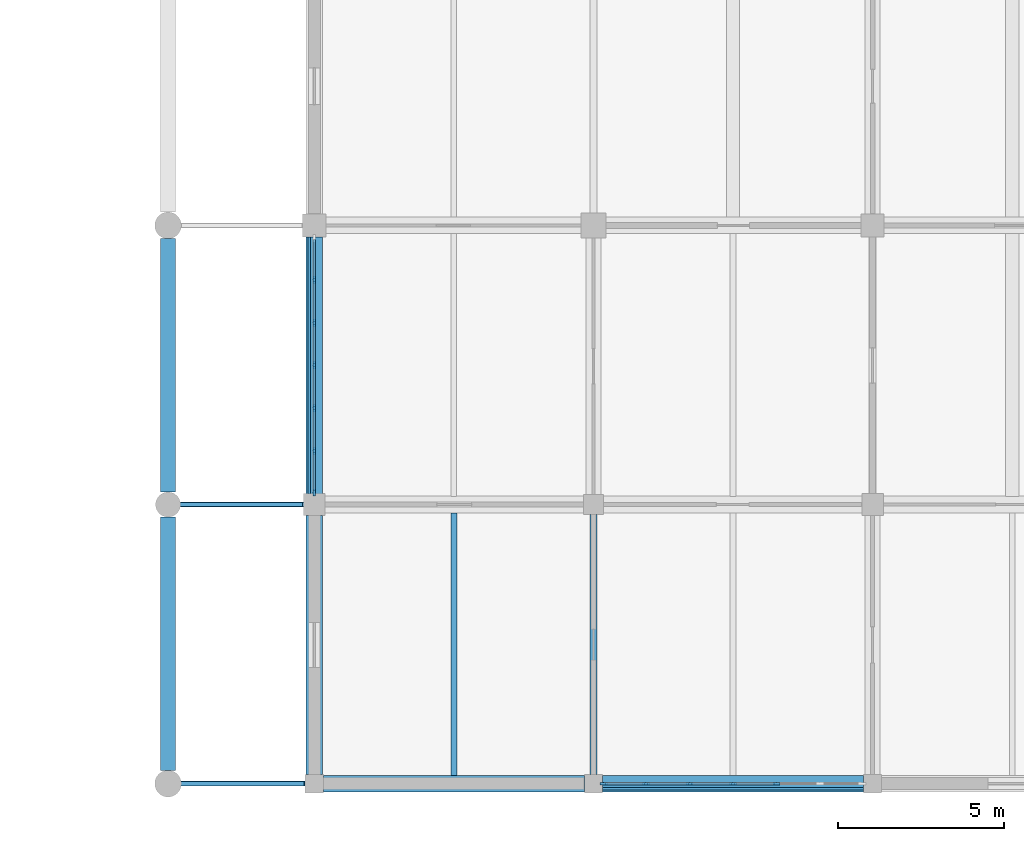
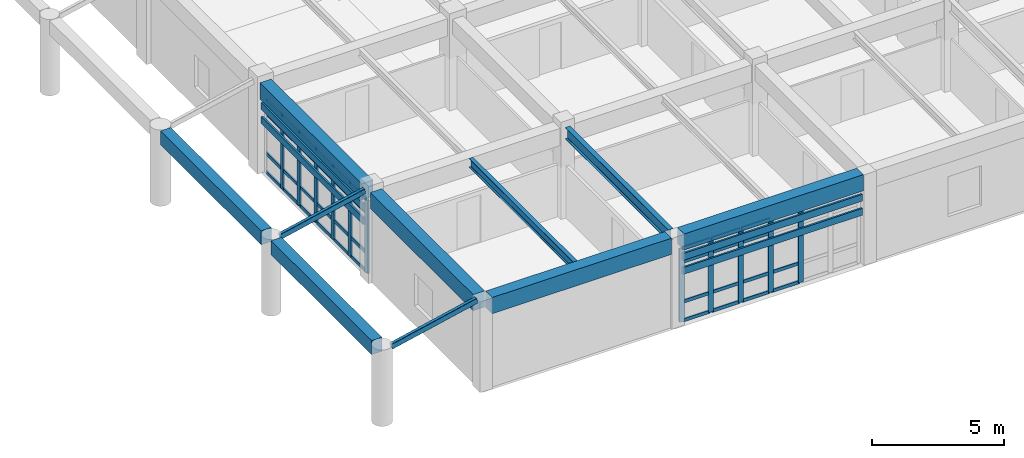
# One storey, part 44 of 99: 55 members, 8 beams, 2 elements without a shape of their own.
"""IFC4 building model written with IfcOpenShell, lengths in metres."""

from ifc_helpers import new_model, si_unit, direction, frame, origin, origin_2d, place, context, subcontext, project, spatial, rectangle, hollow_rectangle, i_section, extrude, material, layer, layer_set, material_profile, profile_set, type_object, element, aggregate, save


model = new_model("IFC4")

# Units and contexts
model_context = context("Model", 3, precision=1e-05, world=origin(), true_north=direction((0.0, 1.0)))
body_context = subcontext(model_context, "Body", "Model", "MODEL_VIEW")
ifc_project = project(units=[si_unit("LENGTHUNIT", "METRE"), si_unit("AREAUNIT", "SQUARE_METRE"), si_unit("VOLUMEUNIT", "CUBIC_METRE"), si_unit("PLANEANGLEUNIT", "RADIAN"), si_unit("MASSUNIT", "GRAM", prefix="KILO")], contexts=[model_context])

# Site, building, storey
site_placement = place(None, origin())
site = spatial("IfcSite", under=ifc_project, at=site_placement, CompositionType="ELEMENT")
building_placement = place(site_placement, origin())
building = spatial("IfcBuilding", under=site, at=building_placement, Name="Porcellanite Civic Hall", CompositionType="ELEMENT")
storey_placement = place(building_placement, frame((0.0, 0.0, 5.760009765625)))
storey = spatial("IfcBuildingStorey", under=building, at=storey_placement, Name="L01", CompositionType="ELEMENT", Elevation=5.760009765625)

# Beams
ifc_material_1 = material(Name="Concrete N50 (50 MPa)", Category="concrete")
ifc_material_profile_1 = material_profile(ifc_material_1, rectangle(XDim=0.449951171875, YDim=0.64990234375, at=origin_2d()), Name="RC-450x650")
ifc_profile_set_1 = profile_set([ifc_material_profile_1], Name="Concrete N50 (50 MPa)")
beam_type_1 = type_object("IfcBeamType", Name="BM-RC650", PredefinedType="SPANDREL", material=ifc_profile_set_1)
for number, where, z_axis, x_axis, name in (
    (1, (138.39990234375, 0.3994140625, 3.205078125), (0.0, 1.0, 0.0), (-1.0, 0.0, 0.0), "Colonnade keystone beam L01 COL-E-P01"),
    (2, (138.39990234375, 8.7744140625, 3.205078125), (0.0, 1.0, 0.0), (-1.0, 0.0, 0.0), "Colonnade keystone beam L01 COL-E-P02"),
):
    element("IfcBeam", number, at=place(storey_placement, frame(where, z_axis=z_axis, x_axis=x_axis)), inside=storey, type_object=beam_type_1, Name=name, PredefinedType="SPANDREL", context=body_context, shape_type="SweptSolid", body=[
        extrude(rectangle(XDim=0.449951171875, YDim=0.64990234375, at=origin_2d()), origin(), (0.0, 0.0, 1.0), 7.6259765625),
    ])
ifc_material_2 = material(Name="Concrete N50 (50 MPa)", Category="concrete")
ifc_material_profile_2 = material_profile(ifc_material_2, rectangle(XDim=0.5, YDim=0.75, at=origin_2d()), Name="RC-500x750")
ifc_profile_set_2 = profile_set([ifc_material_profile_2], Name="Concrete N50 (50 MPa)")
beam_type_2 = type_object("IfcBeamType", Name="BM-RC750", PredefinedType="SPANDREL", material=ifc_profile_set_2)
beam_1_placement = place(storey_placement, frame((143.074462890625, 0.0, 3.824951171875), z_axis=(1.0, 0.0, 0.0), x_axis=(0.0, 1.0, 0.0)))
element("IfcBeam", 3, at=beam_1_placement, inside=storey, type_object=beam_type_2, Name="Beam X L01 18-1", PredefinedType="SPANDREL", context=body_context, shape_type="SweptSolid", body=[
    extrude(rectangle(XDim=0.5, YDim=0.75, at=origin_2d()), origin(), (0.0, 0.0, 1.0), 7.85107421875),
])
beam_2_placement = place(storey_placement, frame((151.474609375, 0.0, 3.824951171875), z_axis=(1.0, 0.0, 0.0), x_axis=(0.0, 1.0, 0.0)))
element("IfcBeam", 4, at=beam_2_placement, inside=storey, type_object=beam_type_2, Name="Beam X L01 19-1", PredefinedType="SPANDREL", context=body_context, shape_type="SweptSolid", body=[
    extrude(rectangle(XDim=0.5, YDim=0.75, at=origin_2d()), origin(), (0.0, 0.0, 1.0), 7.850830078125),
])
beam_3_placement = place(storey_placement, frame((142.800048828125, 0.2744140625, 3.824951171875), z_axis=(0.0, 1.0, 0.0), x_axis=(-1.0, 0.0, 0.0)))
element("IfcBeam", 5, at=beam_3_placement, inside=storey, type_object=beam_type_2, Name="Beam Y L01 18-1", PredefinedType="SPANDREL", context=body_context, shape_type="SweptSolid", body=[
    extrude(rectangle(XDim=0.5, YDim=0.75, at=origin_2d()), origin(), (0.0, 0.0, 1.0), 7.801025390625),
])
beam_4_placement = place(storey_placement, frame((142.800048828125, 8.724609375, 3.824951171875), z_axis=(0.0, 1.0, 0.0), x_axis=(-1.0, 0.0, 0.0)))
element("IfcBeam", 6, at=beam_4_placement, inside=storey, type_object=beam_type_2, Name="Beam Y L01 18-2", PredefinedType="SPANDREL", context=body_context, shape_type="SweptSolid", body=[
    extrude(rectangle(XDim=0.5, YDim=0.75, at=origin_2d()), origin(), (0.0, 0.0, 1.0), 7.725830078125),
])

# Curtain wall, members
ifc_material_3 = material(Name="Anodised aluminium and solar laminated glass", Category="aluminium")
ifc_layer = layer(ifc_material_3, 0.179931640625)
ifc_layer_set = layer_set([ifc_layer], Name="Anodised aluminium and solar laminated glass")
curtain_wall_type = type_object("IfcCurtainWallType", Name="CW-SYS02", PredefinedType="NOTDEFINED", material=ifc_layer_set)
curtain_wall_1_placement = place(storey_placement, origin())
curtain_wall_1 = element("IfcCurtainWall", 7, at=curtain_wall_1_placement, inside=storey, type_object=curtain_wall_type, Name="Curtain wall CW-119", PredefinedType="NOTDEFINED")
ifc_material_4 = material(Name="Anodised aluminium 6063-T6", Category="aluminium")
ifc_material_profile_3 = material_profile(ifc_material_4, rectangle(XDim=0.074951171875, YDim=0.219970703125, at=origin_2d()), Name="AL-75x220")
ifc_profile_set_3 = profile_set([ifc_material_profile_3], Name="Anodised aluminium 6063-T6")
member_type_1 = type_object("IfcMemberType", Name="CWM-03", PredefinedType="MULLION", material=ifc_profile_set_3)
member_1_placement = place(storey_placement, frame((142.800048828125, 8.763427734375, 0.0), z_axis=(0.0, 0.0, 1.0), x_axis=(-1.0, 0.0, 0.0)))
member_1 = element("IfcMember", 8, at=member_1_placement, type_object=member_type_1, Name="CW-119 mullion 1", PredefinedType="MULLION", context=body_context, shape_type="SweptSolid", body=[
    extrude(rectangle(XDim=0.074951171875, YDim=0.219970703125, at=origin_2d()), origin(), (0.0, 0.0, 1.0), 3.39990234375),
])
member_2_placement = place(storey_placement, frame((142.800048828125, 10.01318359375, 0.0), z_axis=(0.0, 0.0, 1.0), x_axis=(-1.0, 0.0, 0.0)))
member_2 = element("IfcMember", 9, at=member_2_placement, type_object=member_type_1, Name="CW-119 mullion 2", PredefinedType="MULLION", context=body_context, shape_type="SweptSolid", body=[
    extrude(rectangle(XDim=0.074951171875, YDim=0.219970703125, at=origin_2d()), origin(), (0.0, 0.0, 1.0), 3.39990234375),
])
member_3_placement = place(storey_placement, frame((142.800048828125, 11.30029296875, 0.0), z_axis=(0.0, 0.0, 1.0), x_axis=(-1.0, 0.0, 0.0)))
member_3 = element("IfcMember", 10, at=member_3_placement, type_object=member_type_1, Name="CW-119 mullion 3", PredefinedType="MULLION", context=body_context, shape_type="SweptSolid", body=[
    extrude(rectangle(XDim=0.074951171875, YDim=0.219970703125, at=origin_2d()), origin(), (0.0, 0.0, 1.0), 3.39990234375),
])
member_4_placement = place(storey_placement, frame((142.800048828125, 12.58740234375, 0.0), z_axis=(0.0, 0.0, 1.0), x_axis=(-1.0, 0.0, 0.0)))
member_4 = element("IfcMember", 11, at=member_4_placement, type_object=member_type_1, Name="CW-119 mullion 4", PredefinedType="MULLION", context=body_context, shape_type="SweptSolid", body=[
    extrude(rectangle(XDim=0.074951171875, YDim=0.219970703125, at=origin_2d()), origin(), (0.0, 0.0, 1.0), 3.39990234375),
])
member_5_placement = place(storey_placement, frame((142.800048828125, 13.874755859375, 0.0), z_axis=(0.0, 0.0, 1.0), x_axis=(-1.0, 0.0, 0.0)))
member_5 = element("IfcMember", 12, at=member_5_placement, type_object=member_type_1, Name="CW-119 mullion 5", PredefinedType="MULLION", context=body_context, shape_type="SweptSolid", body=[
    extrude(rectangle(XDim=0.074951171875, YDim=0.219970703125, at=origin_2d()), origin(), (0.0, 0.0, 1.0), 3.39990234375),
])
member_6_placement = place(storey_placement, frame((142.800048828125, 15.161865234375, 0.0), z_axis=(0.0, 0.0, 1.0), x_axis=(-1.0, 0.0, 0.0)))
member_6 = element("IfcMember", 13, at=member_6_placement, type_object=member_type_1, Name="CW-119 mullion 6", PredefinedType="MULLION", context=body_context, shape_type="SweptSolid", body=[
    extrude(rectangle(XDim=0.074951171875, YDim=0.219970703125, at=origin_2d()), origin(), (0.0, 0.0, 1.0), 3.39990234375),
])

curtain_wall_2_placement = place(storey_placement, origin())
curtain_wall_2 = element("IfcCurtainWall", 14, at=curtain_wall_2_placement, inside=storey, type_object=curtain_wall_type, Name="Curtain wall CW-123", PredefinedType="NOTDEFINED")
member_7_placement = place(storey_placement, frame((156.7080078125, 0.0, 0.0), z_axis=(0.0, 0.0, 1.0), x_axis=(0.0, -1.0, 0.0)))
member_7 = element("IfcMember", 15, at=member_7_placement, type_object=member_type_1, Name="CW-123 mullion 3", PredefinedType="MULLION", context=body_context, shape_type="SweptSolid", body=[
    extrude(rectangle(XDim=0.074951171875, YDim=0.219970703125, at=origin_2d()), origin(), (0.0, 0.0, 1.0), 3.39990234375),
])
member_8_placement = place(storey_placement, frame((155.39990234375, 0.0, 0.0), z_axis=(0.0, 0.0, 1.0), x_axis=(0.0, -1.0, 0.0)))
member_8 = element("IfcMember", 16, at=member_8_placement, type_object=member_type_1, Name="CW-123 mullion 4", PredefinedType="MULLION", context=body_context, shape_type="SweptSolid", body=[
    extrude(rectangle(XDim=0.074951171875, YDim=0.219970703125, at=origin_2d()), origin(), (0.0, 0.0, 1.0), 3.39990234375),
])
member_9_placement = place(storey_placement, frame((154.092041015625, 0.0, 0.0), z_axis=(0.0, 0.0, 1.0), x_axis=(0.0, -1.0, 0.0)))
member_9 = element("IfcMember", 17, at=member_9_placement, type_object=member_type_1, Name="CW-123 mullion 5", PredefinedType="MULLION", context=body_context, shape_type="SweptSolid", body=[
    extrude(rectangle(XDim=0.074951171875, YDim=0.219970703125, at=origin_2d()), origin(), (0.0, 0.0, 1.0), 3.39990234375),
])
member_10_placement = place(storey_placement, frame((152.783935546875, 0.0, 0.0), z_axis=(0.0, 0.0, 1.0), x_axis=(0.0, -1.0, 0.0)))
member_10 = element("IfcMember", 18, at=member_10_placement, type_object=member_type_1, Name="CW-123 mullion 6", PredefinedType="MULLION", context=body_context, shape_type="SweptSolid", body=[
    extrude(rectangle(XDim=0.074951171875, YDim=0.219970703125, at=origin_2d()), origin(), (0.0, 0.0, 1.0), 3.39990234375),
])
member_11_placement = place(storey_placement, frame((151.513427734375, 0.0, 0.0), z_axis=(0.0, 0.0, 1.0), x_axis=(0.0, -1.0, 0.0)))
member_11 = element("IfcMember", 19, at=member_11_placement, type_object=member_type_1, Name="CW-123 mullion 7", PredefinedType="MULLION", context=body_context, shape_type="SweptSolid", body=[
    extrude(rectangle(XDim=0.074951171875, YDim=0.219970703125, at=origin_2d()), origin(), (0.0, 0.0, 1.0), 3.39990234375),
])

# Member
ifc_material_5 = material(Name="Anodised aluminium 6063-T6", Category="aluminium")
ifc_material_profile_4 = material_profile(ifc_material_5, rectangle(XDim=0.06494140625, YDim=0.14990234375, at=origin_2d()), Name="AL-65x150")
ifc_profile_set_4 = profile_set([ifc_material_profile_4], Name="Anodised aluminium 6063-T6")
member_type_2 = type_object("IfcMemberType", Name="CWT-02", PredefinedType="USERDEFINED", material=ifc_profile_set_4)
member_12_placement = place(storey_placement, frame((142.800048828125, 8.801025390625, 0.032470703125), z_axis=(0.0, 1.0, 0.0), x_axis=(-1.0, 0.0, 0.0)))
member_12 = element("IfcMember", 20, at=member_12_placement, type_object=member_type_2, Name="CW-119 transom 1.1", ObjectType="TRANSOM", PredefinedType="USERDEFINED", context=body_context, shape_type="SweptSolid", body=[
    extrude(rectangle(XDim=0.06494140625, YDim=0.14990234375, at=origin_2d()), origin(), (0.0, 0.0, 1.0), 1.174560546875),
])

member_13_placement = place(storey_placement, frame((142.800048828125, 8.801025390625, 0.89990234375), z_axis=(0.0, 1.0, 0.0), x_axis=(-1.0, 0.0, 0.0)))
member_13 = element("IfcMember", 21, at=member_13_placement, type_object=member_type_2, Name="CW-119 transom 1.2", ObjectType="TRANSOM", PredefinedType="USERDEFINED", context=body_context, shape_type="SweptSolid", body=[
    extrude(rectangle(XDim=0.06494140625, YDim=0.14990234375, at=origin_2d()), origin(), (0.0, 0.0, 1.0), 1.174560546875),
])

member_14_placement = place(storey_placement, frame((142.800048828125, 8.801025390625, 2.75), z_axis=(0.0, 1.0, 0.0), x_axis=(-1.0, 0.0, 0.0)))
member_14 = element("IfcMember", 22, at=member_14_placement, type_object=member_type_2, Name="CW-119 transom 1.3", ObjectType="TRANSOM", PredefinedType="USERDEFINED", context=body_context, shape_type="SweptSolid", body=[
    extrude(rectangle(XDim=0.06494140625, YDim=0.14990234375, at=origin_2d()), origin(), (0.0, 0.0, 1.0), 1.174560546875),
])

member_15_placement = place(storey_placement, frame((142.800048828125, 8.801025390625, 3.367431640625), z_axis=(0.0, 1.0, 0.0), x_axis=(-1.0, 0.0, 0.0)))
member_15 = element("IfcMember", 23, at=member_15_placement, type_object=member_type_2, Name="CW-119 transom 1.4", ObjectType="TRANSOM", PredefinedType="USERDEFINED", context=body_context, shape_type="SweptSolid", body=[
    extrude(rectangle(XDim=0.06494140625, YDim=0.14990234375, at=origin_2d()), origin(), (0.0, 0.0, 1.0), 1.174560546875),
])

member_16_placement = place(storey_placement, frame((142.800048828125, 10.05078125, 0.032470703125), z_axis=(0.0, 1.0, 0.0), x_axis=(-1.0, 0.0, 0.0)))
member_16 = element("IfcMember", 24, at=member_16_placement, type_object=member_type_2, Name="CW-119 transom 2.1", ObjectType="TRANSOM", PredefinedType="USERDEFINED", context=body_context, shape_type="SweptSolid", body=[
    extrude(rectangle(XDim=0.06494140625, YDim=0.14990234375, at=origin_2d()), origin(), (0.0, 0.0, 1.0), 1.212158203125),
])

member_17_placement = place(storey_placement, frame((142.800048828125, 10.05078125, 0.89990234375), z_axis=(0.0, 1.0, 0.0), x_axis=(-1.0, 0.0, 0.0)))
member_17 = element("IfcMember", 25, at=member_17_placement, type_object=member_type_2, Name="CW-119 transom 2.2", ObjectType="TRANSOM", PredefinedType="USERDEFINED", context=body_context, shape_type="SweptSolid", body=[
    extrude(rectangle(XDim=0.06494140625, YDim=0.14990234375, at=origin_2d()), origin(), (0.0, 0.0, 1.0), 1.212158203125),
])

member_18_placement = place(storey_placement, frame((142.800048828125, 10.05078125, 2.75), z_axis=(0.0, 1.0, 0.0), x_axis=(-1.0, 0.0, 0.0)))
member_18 = element("IfcMember", 26, at=member_18_placement, type_object=member_type_2, Name="CW-119 transom 2.3", ObjectType="TRANSOM", PredefinedType="USERDEFINED", context=body_context, shape_type="SweptSolid", body=[
    extrude(rectangle(XDim=0.06494140625, YDim=0.14990234375, at=origin_2d()), origin(), (0.0, 0.0, 1.0), 1.212158203125),
])

member_19_placement = place(storey_placement, frame((142.800048828125, 10.05078125, 3.367431640625), z_axis=(0.0, 1.0, 0.0), x_axis=(-1.0, 0.0, 0.0)))
member_19 = element("IfcMember", 27, at=member_19_placement, type_object=member_type_2, Name="CW-119 transom 2.4", ObjectType="TRANSOM", PredefinedType="USERDEFINED", context=body_context, shape_type="SweptSolid", body=[
    extrude(rectangle(XDim=0.06494140625, YDim=0.14990234375, at=origin_2d()), origin(), (0.0, 0.0, 1.0), 1.212158203125),
])

member_20_placement = place(storey_placement, frame((142.800048828125, 11.337890625, 0.032470703125), z_axis=(0.0, 1.0, 0.0), x_axis=(-1.0, 0.0, 0.0)))
member_20 = element("IfcMember", 28, at=member_20_placement, type_object=member_type_2, Name="CW-119 transom 3.1", ObjectType="TRANSOM", PredefinedType="USERDEFINED", context=body_context, shape_type="SweptSolid", body=[
    extrude(rectangle(XDim=0.06494140625, YDim=0.14990234375, at=origin_2d()), origin(), (0.0, 0.0, 1.0), 1.212158203125),
])

member_21_placement = place(storey_placement, frame((142.800048828125, 11.337890625, 0.89990234375), z_axis=(0.0, 1.0, 0.0), x_axis=(-1.0, 0.0, 0.0)))
member_21 = element("IfcMember", 29, at=member_21_placement, type_object=member_type_2, Name="CW-119 transom 3.2", ObjectType="TRANSOM", PredefinedType="USERDEFINED", context=body_context, shape_type="SweptSolid", body=[
    extrude(rectangle(XDim=0.06494140625, YDim=0.14990234375, at=origin_2d()), origin(), (0.0, 0.0, 1.0), 1.212158203125),
])

member_22_placement = place(storey_placement, frame((142.800048828125, 11.337890625, 2.75), z_axis=(0.0, 1.0, 0.0), x_axis=(-1.0, 0.0, 0.0)))
member_22 = element("IfcMember", 30, at=member_22_placement, type_object=member_type_2, Name="CW-119 transom 3.3", ObjectType="TRANSOM", PredefinedType="USERDEFINED", context=body_context, shape_type="SweptSolid", body=[
    extrude(rectangle(XDim=0.06494140625, YDim=0.14990234375, at=origin_2d()), origin(), (0.0, 0.0, 1.0), 1.212158203125),
])

member_23_placement = place(storey_placement, frame((142.800048828125, 11.337890625, 3.367431640625), z_axis=(0.0, 1.0, 0.0), x_axis=(-1.0, 0.0, 0.0)))
member_23 = element("IfcMember", 31, at=member_23_placement, type_object=member_type_2, Name="CW-119 transom 3.4", ObjectType="TRANSOM", PredefinedType="USERDEFINED", context=body_context, shape_type="SweptSolid", body=[
    extrude(rectangle(XDim=0.06494140625, YDim=0.14990234375, at=origin_2d()), origin(), (0.0, 0.0, 1.0), 1.212158203125),
])

member_24_placement = place(storey_placement, frame((142.800048828125, 12.625, 0.032470703125), z_axis=(0.0, 1.0, 0.0), x_axis=(-1.0, 0.0, 0.0)))
member_24 = element("IfcMember", 32, at=member_24_placement, type_object=member_type_2, Name="CW-119 transom 4.1", ObjectType="TRANSOM", PredefinedType="USERDEFINED", context=body_context, shape_type="SweptSolid", body=[
    extrude(rectangle(XDim=0.06494140625, YDim=0.14990234375, at=origin_2d()), origin(), (0.0, 0.0, 1.0), 1.212158203125),
])

member_25_placement = place(storey_placement, frame((142.800048828125, 12.625, 0.89990234375), z_axis=(0.0, 1.0, 0.0), x_axis=(-1.0, 0.0, 0.0)))
member_25 = element("IfcMember", 33, at=member_25_placement, type_object=member_type_2, Name="CW-119 transom 4.2", ObjectType="TRANSOM", PredefinedType="USERDEFINED", context=body_context, shape_type="SweptSolid", body=[
    extrude(rectangle(XDim=0.06494140625, YDim=0.14990234375, at=origin_2d()), origin(), (0.0, 0.0, 1.0), 1.212158203125),
])

member_26_placement = place(storey_placement, frame((142.800048828125, 12.625, 2.75), z_axis=(0.0, 1.0, 0.0), x_axis=(-1.0, 0.0, 0.0)))
member_26 = element("IfcMember", 34, at=member_26_placement, type_object=member_type_2, Name="CW-119 transom 4.3", ObjectType="TRANSOM", PredefinedType="USERDEFINED", context=body_context, shape_type="SweptSolid", body=[
    extrude(rectangle(XDim=0.06494140625, YDim=0.14990234375, at=origin_2d()), origin(), (0.0, 0.0, 1.0), 1.212158203125),
])

member_27_placement = place(storey_placement, frame((142.800048828125, 12.625, 3.367431640625), z_axis=(0.0, 1.0, 0.0), x_axis=(-1.0, 0.0, 0.0)))
member_27 = element("IfcMember", 35, at=member_27_placement, type_object=member_type_2, Name="CW-119 transom 4.4", ObjectType="TRANSOM", PredefinedType="USERDEFINED", context=body_context, shape_type="SweptSolid", body=[
    extrude(rectangle(XDim=0.06494140625, YDim=0.14990234375, at=origin_2d()), origin(), (0.0, 0.0, 1.0), 1.212158203125),
])

member_28_placement = place(storey_placement, frame((142.800048828125, 13.912109375, 0.032470703125), z_axis=(0.0, 1.0, 0.0), x_axis=(-1.0, 0.0, 0.0)))
member_28 = element("IfcMember", 36, at=member_28_placement, type_object=member_type_2, Name="CW-119 transom 5.1", ObjectType="TRANSOM", PredefinedType="USERDEFINED", context=body_context, shape_type="SweptSolid", body=[
    extrude(rectangle(XDim=0.06494140625, YDim=0.14990234375, at=origin_2d()), origin(), (0.0, 0.0, 1.0), 1.212158203125),
])

member_29_placement = place(storey_placement, frame((142.800048828125, 13.912109375, 0.89990234375), z_axis=(0.0, 1.0, 0.0), x_axis=(-1.0, 0.0, 0.0)))
member_29 = element("IfcMember", 37, at=member_29_placement, type_object=member_type_2, Name="CW-119 transom 5.2", ObjectType="TRANSOM", PredefinedType="USERDEFINED", context=body_context, shape_type="SweptSolid", body=[
    extrude(rectangle(XDim=0.06494140625, YDim=0.14990234375, at=origin_2d()), origin(), (0.0, 0.0, 1.0), 1.212158203125),
])

member_30_placement = place(storey_placement, frame((142.800048828125, 13.912109375, 2.75), z_axis=(0.0, 1.0, 0.0), x_axis=(-1.0, 0.0, 0.0)))
member_30 = element("IfcMember", 38, at=member_30_placement, type_object=member_type_2, Name="CW-119 transom 5.3", ObjectType="TRANSOM", PredefinedType="USERDEFINED", context=body_context, shape_type="SweptSolid", body=[
    extrude(rectangle(XDim=0.06494140625, YDim=0.14990234375, at=origin_2d()), origin(), (0.0, 0.0, 1.0), 1.212158203125),
])

member_31_placement = place(storey_placement, frame((142.800048828125, 13.912109375, 3.367431640625), z_axis=(0.0, 1.0, 0.0), x_axis=(-1.0, 0.0, 0.0)))
member_31 = element("IfcMember", 39, at=member_31_placement, type_object=member_type_2, Name="CW-119 transom 5.4", ObjectType="TRANSOM", PredefinedType="USERDEFINED", context=body_context, shape_type="SweptSolid", body=[
    extrude(rectangle(XDim=0.06494140625, YDim=0.14990234375, at=origin_2d()), origin(), (0.0, 0.0, 1.0), 1.212158203125),
])

member_32_placement = place(storey_placement, frame((142.800048828125, 15.19921875, 0.032470703125), z_axis=(0.0, 1.0, 0.0), x_axis=(-1.0, 0.0, 0.0)))
member_32 = element("IfcMember", 40, at=member_32_placement, type_object=member_type_2, Name="CW-119 transom 6.1", ObjectType="TRANSOM", PredefinedType="USERDEFINED", context=body_context, shape_type="SweptSolid", body=[
    extrude(rectangle(XDim=0.06494140625, YDim=0.14990234375, at=origin_2d()), origin(), (0.0, 0.0, 1.0), 1.1748046875),
])

member_33_placement = place(storey_placement, frame((142.800048828125, 15.19921875, 0.89990234375), z_axis=(0.0, 1.0, 0.0), x_axis=(-1.0, 0.0, 0.0)))
member_33 = element("IfcMember", 41, at=member_33_placement, type_object=member_type_2, Name="CW-119 transom 6.2", ObjectType="TRANSOM", PredefinedType="USERDEFINED", context=body_context, shape_type="SweptSolid", body=[
    extrude(rectangle(XDim=0.06494140625, YDim=0.14990234375, at=origin_2d()), origin(), (0.0, 0.0, 1.0), 1.1748046875),
])

member_34_placement = place(storey_placement, frame((142.800048828125, 15.19921875, 2.75), z_axis=(0.0, 1.0, 0.0), x_axis=(-1.0, 0.0, 0.0)))
member_34 = element("IfcMember", 42, at=member_34_placement, type_object=member_type_2, Name="CW-119 transom 6.3", ObjectType="TRANSOM", PredefinedType="USERDEFINED", context=body_context, shape_type="SweptSolid", body=[
    extrude(rectangle(XDim=0.06494140625, YDim=0.14990234375, at=origin_2d()), origin(), (0.0, 0.0, 1.0), 1.1748046875),
])

member_35_placement = place(storey_placement, frame((142.800048828125, 15.19921875, 3.367431640625), z_axis=(0.0, 1.0, 0.0), x_axis=(-1.0, 0.0, 0.0)))
member_35 = element("IfcMember", 43, at=member_35_placement, type_object=member_type_2, Name="CW-119 transom 6.4", ObjectType="TRANSOM", PredefinedType="USERDEFINED", context=body_context, shape_type="SweptSolid", body=[
    extrude(rectangle(XDim=0.06494140625, YDim=0.14990234375, at=origin_2d()), origin(), (0.0, 0.0, 1.0), 1.1748046875),
])

aggregate(curtain_wall_1, [member_1, member_2, member_3, member_4, member_5, member_6, member_12, member_13, member_14, member_15, member_16, member_17, member_18, member_19, member_20, member_21, member_22, member_23, member_24, member_25, member_26, member_27, member_28, member_29, member_30, member_31, member_32, member_33, member_34, member_35])

member_36_placement = place(storey_placement, frame((156.67041015625, 0.0, 0.032470703125), z_axis=(-1.0, 0.0, 0.0), x_axis=(0.0, -1.0, 0.0)))
member_36 = element("IfcMember", 44, at=member_36_placement, type_object=member_type_2, Name="CW-123 transom 3.1", ObjectType="TRANSOM", PredefinedType="USERDEFINED", context=body_context, shape_type="SweptSolid", body=[
    extrude(rectangle(XDim=0.06494140625, YDim=0.14990234375, at=origin_2d()), origin(), (0.0, 0.0, 1.0), 1.23291015625),
])

member_37_placement = place(storey_placement, frame((156.67041015625, 0.0, 0.89990234375), z_axis=(-1.0, 0.0, 0.0), x_axis=(0.0, -1.0, 0.0)))
member_37 = element("IfcMember", 45, at=member_37_placement, type_object=member_type_2, Name="CW-123 transom 3.2", ObjectType="TRANSOM", PredefinedType="USERDEFINED", context=body_context, shape_type="SweptSolid", body=[
    extrude(rectangle(XDim=0.06494140625, YDim=0.14990234375, at=origin_2d()), origin(), (0.0, 0.0, 1.0), 1.23291015625),
])

member_38_placement = place(storey_placement, frame((155.362548828125, 0.0, 0.032470703125), z_axis=(-1.0, 0.0, 0.0), x_axis=(0.0, -1.0, 0.0)))
member_38 = element("IfcMember", 46, at=member_38_placement, type_object=member_type_2, Name="CW-123 transom 4.1", ObjectType="TRANSOM", PredefinedType="USERDEFINED", context=body_context, shape_type="SweptSolid", body=[
    extrude(rectangle(XDim=0.06494140625, YDim=0.14990234375, at=origin_2d()), origin(), (0.0, 0.0, 1.0), 1.233154296875),
])

member_39_placement = place(storey_placement, frame((155.362548828125, 0.0, 0.89990234375), z_axis=(-1.0, 0.0, 0.0), x_axis=(0.0, -1.0, 0.0)))
member_39 = element("IfcMember", 47, at=member_39_placement, type_object=member_type_2, Name="CW-123 transom 4.2", ObjectType="TRANSOM", PredefinedType="USERDEFINED", context=body_context, shape_type="SweptSolid", body=[
    extrude(rectangle(XDim=0.06494140625, YDim=0.14990234375, at=origin_2d()), origin(), (0.0, 0.0, 1.0), 1.233154296875),
])

member_40_placement = place(storey_placement, frame((155.362548828125, 0.0, 2.75), z_axis=(-1.0, 0.0, 0.0), x_axis=(0.0, -1.0, 0.0)))
member_40 = element("IfcMember", 48, at=member_40_placement, type_object=member_type_2, Name="CW-123 transom 4.3", ObjectType="TRANSOM", PredefinedType="USERDEFINED", context=body_context, shape_type="SweptSolid", body=[
    extrude(rectangle(XDim=0.06494140625, YDim=0.14990234375, at=origin_2d()), origin(), (0.0, 0.0, 1.0), 1.233154296875),
])

member_41_placement = place(storey_placement, frame((155.362548828125, 0.0, 3.367431640625), z_axis=(-1.0, 0.0, 0.0), x_axis=(0.0, -1.0, 0.0)))
member_41 = element("IfcMember", 49, at=member_41_placement, type_object=member_type_2, Name="CW-123 transom 4.4", ObjectType="TRANSOM", PredefinedType="USERDEFINED", context=body_context, shape_type="SweptSolid", body=[
    extrude(rectangle(XDim=0.06494140625, YDim=0.14990234375, at=origin_2d()), origin(), (0.0, 0.0, 1.0), 1.233154296875),
])

member_42_placement = place(storey_placement, frame((154.054443359375, 0.0, 0.032470703125), z_axis=(-1.0, 0.0, 0.0), x_axis=(0.0, -1.0, 0.0)))
member_42 = element("IfcMember", 50, at=member_42_placement, type_object=member_type_2, Name="CW-123 transom 5.1", ObjectType="TRANSOM", PredefinedType="USERDEFINED", context=body_context, shape_type="SweptSolid", body=[
    extrude(rectangle(XDim=0.06494140625, YDim=0.14990234375, at=origin_2d()), origin(), (0.0, 0.0, 1.0), 1.23291015625),
])

member_43_placement = place(storey_placement, frame((154.054443359375, 0.0, 0.89990234375), z_axis=(-1.0, 0.0, 0.0), x_axis=(0.0, -1.0, 0.0)))
member_43 = element("IfcMember", 51, at=member_43_placement, type_object=member_type_2, Name="CW-123 transom 5.2", ObjectType="TRANSOM", PredefinedType="USERDEFINED", context=body_context, shape_type="SweptSolid", body=[
    extrude(rectangle(XDim=0.06494140625, YDim=0.14990234375, at=origin_2d()), origin(), (0.0, 0.0, 1.0), 1.23291015625),
])

member_44_placement = place(storey_placement, frame((154.054443359375, 0.0, 2.75), z_axis=(-1.0, 0.0, 0.0), x_axis=(0.0, -1.0, 0.0)))
member_44 = element("IfcMember", 52, at=member_44_placement, type_object=member_type_2, Name="CW-123 transom 5.3", ObjectType="TRANSOM", PredefinedType="USERDEFINED", context=body_context, shape_type="SweptSolid", body=[
    extrude(rectangle(XDim=0.06494140625, YDim=0.14990234375, at=origin_2d()), origin(), (0.0, 0.0, 1.0), 1.23291015625),
])

member_45_placement = place(storey_placement, frame((154.054443359375, 0.0, 3.367431640625), z_axis=(-1.0, 0.0, 0.0), x_axis=(0.0, -1.0, 0.0)))
member_45 = element("IfcMember", 53, at=member_45_placement, type_object=member_type_2, Name="CW-123 transom 5.4", ObjectType="TRANSOM", PredefinedType="USERDEFINED", context=body_context, shape_type="SweptSolid", body=[
    extrude(rectangle(XDim=0.06494140625, YDim=0.14990234375, at=origin_2d()), origin(), (0.0, 0.0, 1.0), 1.23291015625),
])

member_46_placement = place(storey_placement, frame((152.74658203125, 0.0, 0.032470703125), z_axis=(-1.0, 0.0, 0.0), x_axis=(0.0, -1.0, 0.0)))
member_46 = element("IfcMember", 54, at=member_46_placement, type_object=member_type_2, Name="CW-123 transom 6.1", ObjectType="TRANSOM", PredefinedType="USERDEFINED", context=body_context, shape_type="SweptSolid", body=[
    extrude(rectangle(XDim=0.06494140625, YDim=0.14990234375, at=origin_2d()), origin(), (0.0, 0.0, 1.0), 1.195556640625),
])

member_47_placement = place(storey_placement, frame((152.74658203125, 0.0, 0.89990234375), z_axis=(-1.0, 0.0, 0.0), x_axis=(0.0, -1.0, 0.0)))
member_47 = element("IfcMember", 55, at=member_47_placement, type_object=member_type_2, Name="CW-123 transom 6.2", ObjectType="TRANSOM", PredefinedType="USERDEFINED", context=body_context, shape_type="SweptSolid", body=[
    extrude(rectangle(XDim=0.06494140625, YDim=0.14990234375, at=origin_2d()), origin(), (0.0, 0.0, 1.0), 1.195556640625),
])

member_48_placement = place(storey_placement, frame((152.74658203125, 0.0, 2.75), z_axis=(-1.0, 0.0, 0.0), x_axis=(0.0, -1.0, 0.0)))
member_48 = element("IfcMember", 56, at=member_48_placement, type_object=member_type_2, Name="CW-123 transom 6.3", ObjectType="TRANSOM", PredefinedType="USERDEFINED", context=body_context, shape_type="SweptSolid", body=[
    extrude(rectangle(XDim=0.06494140625, YDim=0.14990234375, at=origin_2d()), origin(), (0.0, 0.0, 1.0), 1.195556640625),
])

member_49_placement = place(storey_placement, frame((152.74658203125, 0.0, 3.367431640625), z_axis=(-1.0, 0.0, 0.0), x_axis=(0.0, -1.0, 0.0)))
member_49 = element("IfcMember", 57, at=member_49_placement, type_object=member_type_2, Name="CW-123 transom 6.4", ObjectType="TRANSOM", PredefinedType="USERDEFINED", context=body_context, shape_type="SweptSolid", body=[
    extrude(rectangle(XDim=0.06494140625, YDim=0.14990234375, at=origin_2d()), origin(), (0.0, 0.0, 1.0), 1.195556640625),
])

aggregate(curtain_wall_2, [member_7, member_8, member_9, member_10, member_11, member_36, member_37, member_38, member_39, member_40, member_41, member_42, member_43, member_44, member_45, member_46, member_47, member_48, member_49])

# Beam
ifc_material_6 = material(Name="Steel Grade 350", Category="steel")
ifc_material_profile_5 = material_profile(ifc_material_6, i_section(OverallWidth=0.177978515625, OverallDepth=0.403076171875, WebThickness=0.007568359375, FlangeThickness=0.010986328125, FilletRadius=0.011474609375, at=origin_2d()), Name="410UB53.7")
ifc_profile_set_5 = profile_set([ifc_material_profile_5], Name="Steel Grade 350")
beam_type_3 = type_object("IfcBeamType", Name="JST-410UB54", PredefinedType="JOIST", material=ifc_profile_set_5)
beam_5_placement = place(storey_placement, frame((147.0, 0.24951171875, 3.99853515625), z_axis=(0.0, 1.0, 0.0), x_axis=(-1.0, 0.0, 0.0)))
element("IfcBeam", 58, at=beam_5_placement, inside=storey, type_object=beam_type_3, Name="Secondary joist L01 18-1", PredefinedType="JOIST", context=body_context, shape_type="SweptSolid", body=[
    extrude(i_section(OverallWidth=0.177978515625, OverallDepth=0.403076171875, WebThickness=0.007568359375, FlangeThickness=0.010986328125, FilletRadius=0.011474609375, at=origin_2d()), origin(), (0.0, 0.0, 1.0), 7.90087890625),
])

# Members
ifc_material_7 = material(Name="Fluoropolymer bauxite-red aluminium 6063-T6", Category="aluminium")
ifc_material_profile_6 = material_profile(ifc_material_7, rectangle(XDim=0.080078125, YDim=0.320068359375, at=origin_2d()), Name="AL-80x320")
ifc_profile_set_6 = profile_set([ifc_material_profile_6], Name="Fluoropolymer bauxite-red aluminium 6063-T6")
member_type_3 = type_object("IfcMemberType", Name="LV-BLD03", PredefinedType="USERDEFINED", material=ifc_profile_set_6)
for number, where, z_axis, x_axis, name in (
    (59, (142.64794921875, 8.724609375, 3.10009765625), (0.0, 1.0, 0.0), (-1.0, 0.0, 0.0), "Cyclone sunshade louvre L01 W 17-1 1"),
    (60, (142.64794921875, 8.724609375, 2.449951171875), (0.0, 1.0, 0.0), (-1.0, 0.0, 0.0), "Cyclone sunshade louvre L01 W 17-1 2"),
):
    element("IfcMember", number, at=place(storey_placement, frame(where, z_axis=z_axis, x_axis=x_axis)), inside=storey, type_object=member_type_3, Name=name, ObjectType="LOUVRE BLADE", PredefinedType="USERDEFINED", context=body_context, shape_type="SweptSolid", body=[
        extrude(rectangle(XDim=0.080078125, YDim=0.320068359375, at=origin_2d()), origin(), (0.0, 0.0, 1.0), 7.725830078125),
    ])
for number, where, z_axis, x_axis, name in (
    (61, (159.325439453125, -0.152099609375, 3.10009765625), (-1.0, 0.0, 0.0), (0.0, -1.0, 0.0), "Cyclone sunshade louvre L01 S 18-0 1"),
    (62, (159.325439453125, -0.152099609375, 2.449951171875), (-1.0, 0.0, 0.0), (0.0, -1.0, 0.0), "Cyclone sunshade louvre L01 S 18-0 2"),
):
    element("IfcMember", number, at=place(storey_placement, frame(where, z_axis=z_axis, x_axis=x_axis)), inside=storey, type_object=member_type_3, Name=name, ObjectType="LOUVRE BLADE", PredefinedType="USERDEFINED", context=body_context, shape_type="SweptSolid", body=[
        extrude(rectangle(XDim=0.080078125, YDim=0.320068359375, at=origin_2d()), origin(), (0.0, 0.0, 1.0), 7.850830078125),
    ])

# Beam
ifc_material_8 = material(Name="Steel Grade 350", Category="steel")
ifc_material_profile_7 = material_profile(ifc_material_8, i_section(OverallWidth=0.208984375, OverallDepth=0.528076171875, WebThickness=0.009521484375, FlangeThickness=0.01318359375, FilletRadius=0.013916015625, at=origin_2d()), Name="530UB82.0")
ifc_profile_set_7 = profile_set([ifc_material_profile_7], Name="Steel Grade 350")
beam_type_4 = type_object("IfcBeamType", Name="RAF-530UB82", PredefinedType="BEAM", material=ifc_profile_set_7)
beam_6_placement = place(storey_placement, frame((151.199951171875, 0.2744140625, 3.93603515625), z_axis=(0.0, 1.0, 0.0), x_axis=(-1.0, 0.0, 0.0)))
element("IfcBeam", 63, at=beam_6_placement, inside=storey, type_object=beam_type_4, Name="Beam Y L01 19-1", PredefinedType="BEAM", context=body_context, shape_type="SweptSolid", body=[
    extrude(i_section(OverallWidth=0.208984375, OverallDepth=0.528076171875, WebThickness=0.009521484375, FlangeThickness=0.01318359375, FilletRadius=0.013916015625, at=origin_2d()), origin(), (0.0, 0.0, 1.0), 7.826171875),
])

# Members
ifc_material_9 = material(Name="Steel C350L0", Category="steel")
ifc_material_profile_8 = material_profile(ifc_material_9, hollow_rectangle(XDim=0.14990234375, YDim=0.25, WallThickness=0.008056640625, InnerFilletRadius=0.011962890625, OuterFilletRadius=0.02001953125, at=origin_2d()), Name="250x150x8.0RHS")
ifc_profile_set_8 = profile_set([ifc_material_profile_8], Name="Steel C350L0")
member_type_4 = type_object("IfcMemberType", Name="STR-250RHS", PredefinedType="STRUT", material=ifc_profile_set_8)
member_50_placement = place(storey_placement, frame((142.525390625, 0.0, 4.13525390625), z_axis=(-0.976299822431, 0.0, -0.216422403465), x_axis=(0.0, -1.0, 0.0)))
element("IfcMember", 64, at=member_50_placement, inside=storey, type_object=member_type_4, Name="Colonnade raker COL-E-P01", PredefinedType="STRUT", context=body_context, shape_type="SweptSolid", body=[
    extrude(hollow_rectangle(XDim=0.14990234375, YDim=0.25, WallThickness=0.008056640625, InnerFilletRadius=0.011962890625, OuterFilletRadius=0.02001953125, at=origin_2d()), origin(), (0.0, 0.0, 1.0), 3.816162109375),
])
member_51_placement = place(storey_placement, frame((142.4755859375, 8.39990234375, 4.124267578125), z_axis=(-0.976294524972, 0.0, -0.216446299369), x_axis=(0.0, -1.0, 0.0)))
element("IfcMember", 65, at=member_51_placement, inside=storey, type_object=member_type_4, Name="Colonnade raker COL-E-P02", PredefinedType="STRUT", context=body_context, shape_type="SweptSolid", body=[
    extrude(hollow_rectangle(XDim=0.14990234375, YDim=0.25, WallThickness=0.008056640625, InnerFilletRadius=0.011962890625, OuterFilletRadius=0.02001953125, at=origin_2d()), origin(), (0.0, 0.0, 1.0), 3.791015625),
])

save(model, "model.ifc")
